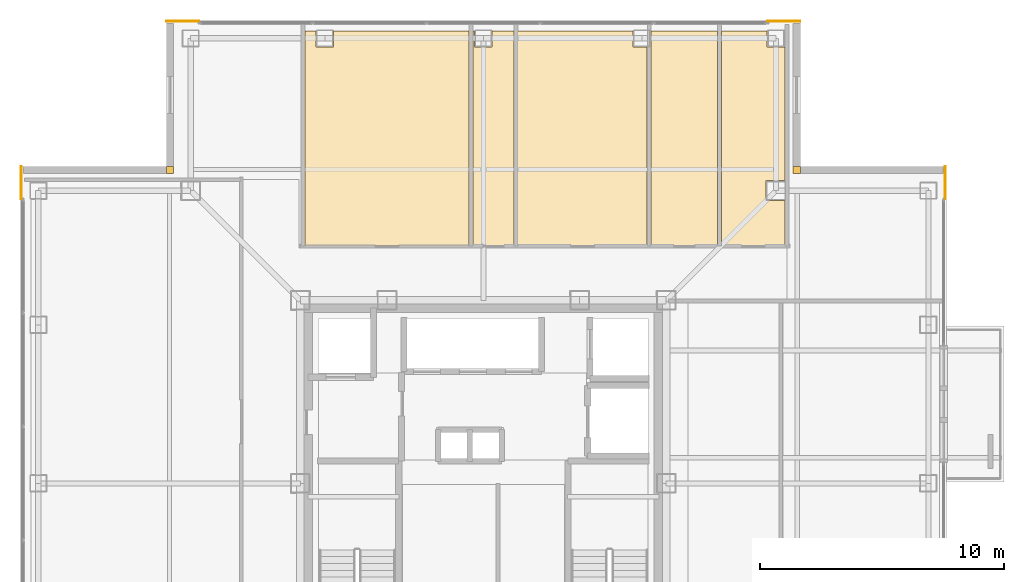
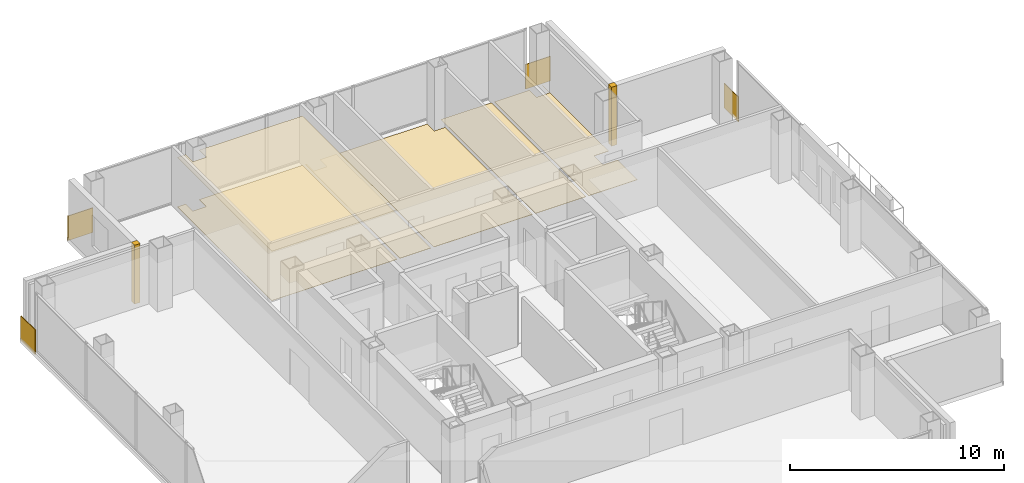
# One storey, part 15 of 15: 12 coverings.
"""IFC4 building model written with IfcOpenShell, lengths in metres."""

from ifc_helpers import new_model, si_unit, direction, frame, frame_2d, origin, place, context, subcontext, project, spatial, polyline, rectangle, outline, extrude, material, layer, layer_set, type_object, element, save


model = new_model("IFC4")

# Units and contexts
model_context = context("Model", 3, precision=1e-05, world=origin(), true_north=direction((0.0, 1.0)))
body_context = subcontext(model_context, "Body", "Model", "MODEL_VIEW")
ifc_project = project(units=[si_unit("LENGTHUNIT", "METRE"), si_unit("AREAUNIT", "SQUARE_METRE"), si_unit("VOLUMEUNIT", "CUBIC_METRE"), si_unit("PLANEANGLEUNIT", "RADIAN"), si_unit("MASSUNIT", "GRAM", prefix="KILO")], contexts=[model_context])

# Site, building, storey
site_placement = place(None, origin())
site = spatial("IfcSite", under=ifc_project, at=site_placement, CompositionType="ELEMENT")
building_placement = place(site_placement, origin())
building = spatial("IfcBuilding", under=site, at=building_placement, Name="Trevonay Congress Spire", CompositionType="ELEMENT")
storey_placement = place(building_placement, frame((0.0, 0.0, 243.199951171875)))
storey = spatial("IfcBuildingStorey", under=building, at=storey_placement, Name="L63", CompositionType="ELEMENT", Elevation=243.199951171875)

# Coverings
ifc_material_1 = material(Name="Acoustic Mineral Fibre Board", Category="gypsum")
ifc_layer_1 = layer(ifc_material_1, 0.02490234375, Name="Acoustic Mineral Fibre Board")
ifc_layer_set_1 = layer_set([ifc_layer_1], Name="Acoustic Mineral Fibre Board")
covering_type_1 = type_object("IfcCoveringType", Name="COV-CEIL-ACOUSTIC", PredefinedType="CEILING", material=ifc_layer_set_1)
covering_1_placement = place(storey_placement, frame((0.0, 0.0, 2.81005859375)))
element("IfcCovering", 1, at=covering_1_placement, inside=storey, type_object=covering_type_1, Name="L63 Simultaneous Translation Office acoustic suspended ceiling", PredefinedType="CEILING", context=body_context, shape_type="SweptSolid", body=[
    extrude(outline(polyline([(-0.580078125, 18.550048828125), (-0.580078125, 9.72998046875), (-7.320068359375, 9.72998046875), (-7.320068359375, 18.550048828125), (-6.860107421875, 18.550048828125), (-6.860107421875, 17.889892578125), (-6.139892578125, 17.889892578125), (-6.139892578125, 18.550048828125), (-0.580078125, 18.550048828125)])), origin(), (0.0, 0.0, 1.0), 0.02490234375),
])
ifc_material_2 = material(Name="Polished Granite Floor Tile", Category="masonry")
ifc_layer_2 = layer(ifc_material_2, 0.02001953125, Name="Polished Granite Floor Tile")
ifc_layer_set_2 = layer_set([ifc_layer_2], Name="Polished Granite Floor Tile")
covering_type_2 = type_object("IfcCoveringType", Name="COV-FLOOR-STONE", PredefinedType="FLOORING", material=ifc_layer_set_2)
covering_2_placement = place(storey_placement, origin())
element("IfcCovering", 2, at=covering_2_placement, inside=storey, type_object=covering_type_2, Name="L63 Accessible WC floor finish", PredefinedType="FLOORING", context=body_context, shape_type="SweptSolid", body=[
    extrude(outline(polyline([(1.25, 18.550048828125), (1.25, 9.72998046875), (-0.419921875, 9.72998046875), (-0.419921875, 18.550048828125), (-0.360107421875, 18.550048828125), (-0.360107421875, 17.889892578125), (0.360107421875, 17.889892578125), (0.360107421875, 18.550048828125), (1.25, 18.550048828125)])), origin(), (0.0, 0.0, 1.0), 0.02001953125),
])
covering_3_placement = place(storey_placement, origin())
element("IfcCovering", 3, at=covering_3_placement, inside=storey, type_object=covering_type_2, Name="L63 Floor Supplies and Copy Room floor finish", PredefinedType="FLOORING", context=body_context, shape_type="SweptSolid", body=[
    extrude(outline(polyline([(6.719970703125, 9.72998046875), (1.409912109375, 9.72998046875), (1.409912109375, 18.550048828125), (6.139892578125, 18.550048828125), (6.139892578125, 17.889892578125), (6.719970703125, 17.889892578125), (6.719970703125, 9.72998046875)])), origin(), (0.0, 0.0, 1.0), 0.02001953125),
])
covering_4_placement = place(storey_placement, origin())
element("IfcCovering", 4, at=covering_4_placement, inside=storey, type_object=covering_type_2, Name="L63 Female Restroom WC floor finish", PredefinedType="FLOORING", context=body_context, shape_type="SweptSolid", body=[
    extrude(outline(polyline([(6.8798828125, 9.72998046875), (9.60009765625, 9.72998046875), (9.60009765625, 18.550048828125), (6.8798828125, 18.550048828125), (6.8798828125, 9.72998046875)])), origin(), (0.0, 0.0, 1.0), 0.02001953125),
])
covering_5_placement = place(storey_placement, origin())
element("IfcCovering", 5, at=covering_5_placement, inside=storey, type_object=covering_type_2, Name="L63 Floor Supplies and Copy Room floor finish", PredefinedType="FLOORING", context=body_context, shape_type="SweptSolid", body=[
    extrude(outline(polyline([(12.3701171875, 9.72998046875), (9.760009765625, 9.72998046875), (9.760009765625, 18.550048828125), (11.639892578125, 18.550048828125), (11.639892578125, 17.889892578125), (12.360107421875, 17.889892578125), (12.360107421875, 18.550048828125), (12.3701171875, 18.550048828125), (12.3701171875, 12.409912109375), (11.590087890625, 12.409912109375), (11.590087890625, 11.590087890625), (12.3701171875, 11.590087890625), (12.3701171875, 9.72998046875)])), origin(), (0.0, 0.0, 1.0), 0.02001953125),
])
ifc_material_3 = material(Name="Engineered Oak Flooring", Category="wood")
ifc_layer_3 = layer(ifc_material_3, 0.01806640625, Name="Engineered Oak Flooring")
ifc_layer_set_3 = layer_set([ifc_layer_3], Name="Engineered Oak Flooring")
covering_type_3 = type_object("IfcCoveringType", Name="COV-FLOOR-TIMBER", PredefinedType="FLOORING", material=ifc_layer_set_3)
covering_6_placement = place(storey_placement, origin())
element("IfcCovering", 6, at=covering_6_placement, inside=storey, type_object=covering_type_3, Name="L63 Simultaneous Translation Office floor finish", PredefinedType="FLOORING", context=body_context, shape_type="SweptSolid", body=[
    extrude(outline(polyline([(-0.580078125, 18.550048828125), (-0.580078125, 9.72998046875), (-7.320068359375, 9.72998046875), (-7.320068359375, 18.550048828125), (-6.860107421875, 18.550048828125), (-6.860107421875, 17.889892578125), (-6.139892578125, 17.889892578125), (-6.139892578125, 18.550048828125), (-0.580078125, 18.550048828125)])), origin(), (0.0, 0.0, 1.0), 0.01806640625),
])
ifc_material_4 = material(Name="Pale Anodised Aluminium EN AW-6063-T6", Category="aluminium")
ifc_layer_4 = layer(ifc_material_4, 0.0400390625, Name="Pale Anodised Aluminium EN AW-6063-T6")
ifc_layer_set_4 = layer_set([ifc_layer_4], Name="Pale Anodised Aluminium EN AW-6063-T6")
covering_type_4 = type_object("IfcCoveringType", Name="COV-SPANDREL-PALE-METAL", PredefinedType="CLADDING", material=ifc_layer_set_4)
covering_7_placement = place(storey_placement, origin())
element("IfcCovering", 7, at=covering_7_placement, inside=storey, type_object=covering_type_4, Name="L63 NE re-entrant notch corner closure trim", PredefinedType="CLADDING", context=body_context, shape_type="SweptSolid", body=[
    extrude(outline(polyline([(12.699951171875, 12.699951171875), (13.0, 12.699951171875), (13.0, 13.0), (12.699951171875, 13.0), (12.699951171875, 12.699951171875)])), origin(), (0.0, 0.0, 1.0), 3.360107421875),
])
for number, where, z_axis, x_axis, name in (
    (8, (18.93994140625, 11.64990234375, -0.14990234375), (0.0, 0.0, 1.0), (0.0, 1.0, 0.0), "L63 NE corner pier spandrel cladding 1"),
    (9, (11.64990234375, 18.93994140625, -0.14990234375), (0.0, 0.0, 1.0), (1.0, 0.0, 0.0), "L63 NE corner pier spandrel cladding 2"),
):
    element("IfcCovering", number, at=place(storey_placement, frame(where, z_axis=z_axis, x_axis=x_axis)), inside=storey, type_object=covering_type_4, Name=name, PredefinedType="CLADDING", context=body_context, shape_type="SweptSolid", body=[
        extrude(rectangle(XDim=1.35009765625, YDim=0.0400390625, at=frame_2d((0.675048828125, 0.0))), origin(), (0.0, 0.0, 1.0), 1.39990234375),
    ])
covering_8_placement = place(storey_placement, origin())
element("IfcCovering", 10, at=covering_8_placement, inside=storey, type_object=covering_type_4, Name="L63 NW re-entrant notch corner closure trim", PredefinedType="CLADDING", context=body_context, shape_type="SweptSolid", body=[
    extrude(outline(polyline([(-13.0, 12.699951171875), (-12.699951171875, 12.699951171875), (-12.699951171875, 13.0), (-13.0, 13.0), (-13.0, 12.699951171875)])), origin(), (0.0, 0.0, 1.0), 3.360107421875),
])
for number, where, z_axis, x_axis, name in (
    (11, (-18.93994140625, 11.64990234375, -0.14990234375), (0.0, 0.0, 1.0), (0.0, 1.0, 0.0), "L63 NW corner pier spandrel cladding 1"),
    (12, (-11.64990234375, 18.93994140625, -0.14990234375), (0.0, 0.0, 1.0), (-1.0, 0.0, 0.0), "L63 NW corner pier spandrel cladding 2"),
):
    element("IfcCovering", number, at=place(storey_placement, frame(where, z_axis=z_axis, x_axis=x_axis)), inside=storey, type_object=covering_type_4, Name=name, PredefinedType="CLADDING", context=body_context, shape_type="SweptSolid", body=[
        extrude(rectangle(XDim=1.35009765625, YDim=0.0400390625, at=frame_2d((0.675048828125, 0.0))), origin(), (0.0, 0.0, 1.0), 1.39990234375),
    ])

save(model, "model.ifc")
